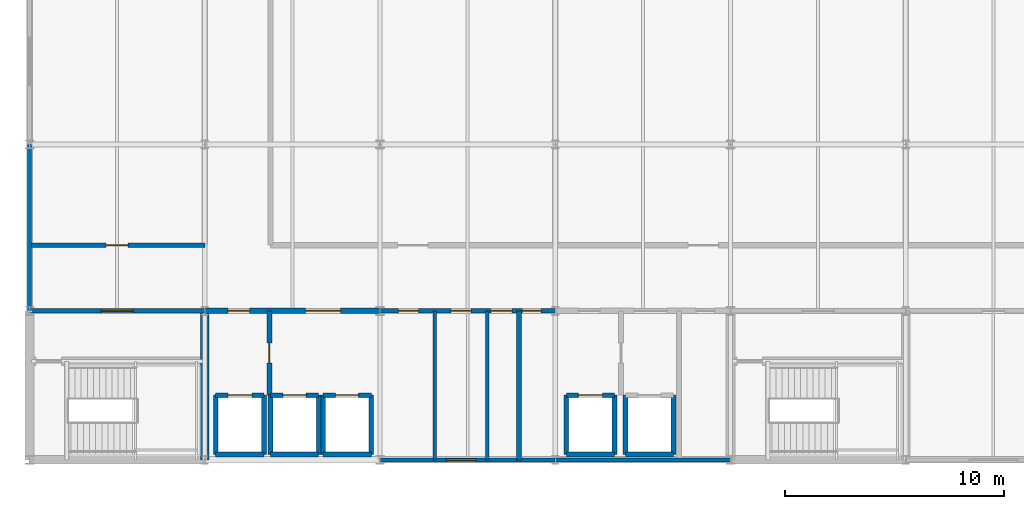
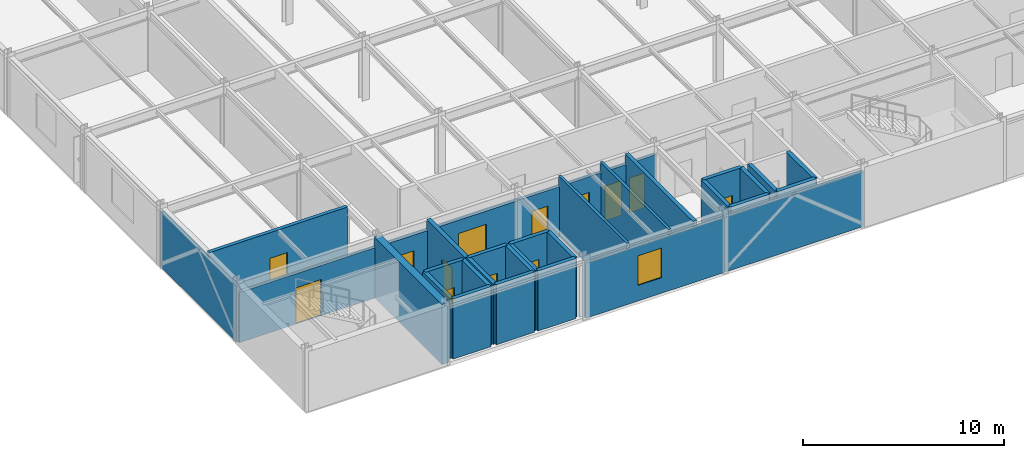
# One storey, part 11 of 18: 31 walls, 13 doors, 1 window, 14 openings.
"""IFC4 building model written with IfcOpenShell, lengths in metres."""

from ifc_helpers import new_model, si_unit, direction, frame, frame_2d, origin, place, context, subcontext, project, spatial, rectangle, extrude, material, layer, layer_set, type_object, element, fill, save


model = new_model("IFC4")

# Units and contexts
model_context = context("Model", 3, precision=1e-05, world=origin(), true_north=direction((0.0, 1.0)))
body_context = subcontext(model_context, "Body", "Model", "MODEL_VIEW")
ifc_project = project(units=[si_unit("LENGTHUNIT", "METRE"), si_unit("AREAUNIT", "SQUARE_METRE"), si_unit("VOLUMEUNIT", "CUBIC_METRE"), si_unit("PLANEANGLEUNIT", "RADIAN"), si_unit("MASSUNIT", "GRAM", prefix="KILO")], contexts=[model_context])

# Site, building, storey
site_placement = place(None, origin())
site = spatial("IfcSite", under=ifc_project, at=site_placement, CompositionType="ELEMENT")
building_placement = place(site_placement, origin())
building = spatial("IfcBuilding", under=site, at=building_placement, Name="Shalkamar Park Central Library", CompositionType="ELEMENT")
storey_placement = place(building_placement, frame((0.0, 0.0, 24.300048828125)))
storey = spatial("IfcBuildingStorey", under=building, at=storey_placement, Name="L06", CompositionType="ELEMENT", Elevation=24.300048828125)

# Wall, opening, door
ifc_material_1 = material(Name="Reinforced fire-compartment masonry wall", Category="masonry")
ifc_layer_1 = layer(ifc_material_1, 0.239990234375)
ifc_layer_set_1 = layer_set([ifc_layer_1], Name="CompartmentWall_240")
wall_type_1 = type_object("IfcWallType", Name="Compartment Wall 240", PredefinedType="PARTITIONING", material=ifc_layer_set_1)
wall_1_placement = place(storey_placement, frame((175.949951171875, 251.35009765625, 0.0), z_axis=(0.0, 0.0, 1.0), x_axis=(0.0, 1.0, 0.0)))
wall_1 = element("IfcWall", 1, at=wall_1_placement, inside=storey, type_object=wall_type_1, Name="Interior Partition WL-INT-L06-001", PredefinedType="PARTITIONING", context=body_context, shape_type="SweptSolid", body=[
    extrude(rectangle(XDim=3.849853515625, YDim=0.239990234375, at=frame_2d((1.9248046875, 0.0))), origin(), (0.0, 0.0, 1.0), 3.659912109375),
])
opening_1_placement = place(wall_1_placement, frame((1.47509765625, 0.0, 0.0)))
opening_1 = element("IfcOpeningElement", 2, at=opening_1_placement, cuts=wall_1, Name="Opening DR-L06-001", PredefinedType="OPENING", context=body_context, shape_type="SweptSolid", body=[
    extrude(rectangle(XDim=0.89990234375, YDim=2.10009765625, at=frame_2d((0.449951171875, 1.050048828125))), frame((0.0, 0.134765625, 0.0), z_axis=(0.0, -1.0, 0.0), x_axis=(1.0, 0.0, 0.0)), (0.0, 0.0, 1.0), 0.269775390625),
])
ifc_material_2 = material(Name="Steel S355", Category="steel")
door_type_1 = type_object("IfcDoorType", Name="Fire Door Single 900x2100", OperationType="NOTDEFINED", PredefinedType="DOOR", material=ifc_material_2)
door_1_placement = place(opening_1_placement, frame((0.89990234375, 0.0, 0.0), z_axis=(0.0, 0.0, 1.0), x_axis=(-1.0, 0.0, 0.0)))
door_1 = element("IfcDoor", 3, at=door_1_placement, inside=storey, type_object=door_type_1, Name="Fire Lobby Interconnect Door", OperationType="SINGLE_SWING_LEFT", OverallHeight=2.10009765625, OverallWidth=0.89990234375, PredefinedType="DOOR", context=body_context, shape_type="SweptSolid", body=[
    extrude(rectangle(XDim=0.89990234375, YDim=2.10009765625, at=frame_2d((0.449951171875, 1.050048828125))), frame((0.0, 0.02490234375, 0.0), z_axis=(0.0, -1.0, 0.0), x_axis=(1.0, 0.0, 0.0)), (0.0, 0.0, 1.0), 0.050048828125),
])
fill(opening_1, door_1)

# Wall, openings, doors
wall_2_placement = place(storey_placement, frame((173.0, 255.199951171875, 0.0), z_axis=(0.0, 0.0, 1.0), x_axis=(1.0, 0.0, 0.0)))
wall_2 = element("IfcWall", 4, at=wall_2_placement, inside=storey, type_object=wall_type_1, Name="Interior Partition WL-INT-L06-007", PredefinedType="PARTITIONING", context=body_context, shape_type="SweptSolid", body=[
    extrude(rectangle(XDim=8.0, YDim=0.239990234375, at=frame_2d((4.0, 0.0))), origin(), (0.0, 0.0, 1.0), 3.057861328125),
])
opening_2_placement = place(wall_2_placement, frame((1.050048828125, 0.0, 0.0)))
opening_2 = element("IfcOpeningElement", 5, at=opening_2_placement, cuts=wall_2, Name="Opening DR-L06-003", PredefinedType="OPENING", context=body_context, shape_type="SweptSolid", body=[
    extrude(rectangle(XDim=1.0, YDim=2.10009765625, at=frame_2d((0.5, 1.050048828125))), frame((0.0, 0.134765625, 0.0), z_axis=(0.0, -1.0, 0.0), x_axis=(1.0, 0.0, 0.0)), (0.0, 0.0, 1.0), 0.269775390625),
])
opening_3_placement = place(wall_2_placement, frame((4.60009765625, 0.0, 0.0)))
opening_3 = element("IfcOpeningElement", 6, at=opening_3_placement, cuts=wall_2, Name="Opening DR-L06-004", PredefinedType="OPENING", context=body_context, shape_type="SweptSolid", body=[
    extrude(rectangle(XDim=1.60009765625, YDim=2.25, at=frame_2d((0.800048828125, 1.125))), frame((0.0, 0.134765625, 0.0), z_axis=(0.0, -1.0, 0.0), x_axis=(1.0, 0.0, 0.0)), (0.0, 0.0, 1.0), 0.269775390625),
])
door_type_2 = type_object("IfcDoorType", Name="Fire Door Single 1000x2100", OperationType="NOTDEFINED", PredefinedType="DOOR", material=ifc_material_2)
door_2_placement = place(opening_2_placement, frame((1.0, 0.0, 0.0), z_axis=(0.0, 0.0, 1.0), x_axis=(-1.0, 0.0, 0.0)))
door_2 = element("IfcDoor", 7, at=door_2_placement, inside=storey, type_object=door_type_2, Name="West Firefighting Lobby Door", OperationType="SINGLE_SWING_RIGHT", OverallHeight=2.10009765625, OverallWidth=1.0, PredefinedType="DOOR", context=body_context, shape_type="SweptSolid", body=[
    extrude(rectangle(XDim=1.0, YDim=2.10009765625, at=frame_2d((0.5, 1.050048828125))), frame((0.0, 0.02490234375, 0.0), z_axis=(0.0, -1.0, 0.0), x_axis=(1.0, 0.0, 0.0)), (0.0, 0.0, 1.0), 0.050048828125),
])
fill(opening_2, door_2)
door_type_3 = type_object("IfcDoorType", Name="Interior Door Double 1600x2250", OperationType="DOUBLE_DOOR_SINGLE_SWING", PredefinedType="DOOR", material=ifc_material_2)
door_3_placement = place(opening_3_placement, origin())
door_3 = element("IfcDoor", 8, at=door_3_placement, inside=storey, type_object=door_type_3, Name="West Lift Lobby Entrance", OperationType="DOUBLE_DOOR_SINGLE_SWING", OverallHeight=2.25, OverallWidth=1.60009765625, PredefinedType="DOOR", context=body_context, shape_type="SweptSolid", body=[
    extrude(rectangle(XDim=1.60009765625, YDim=2.25, at=frame_2d((0.800048828125, 1.125))), frame((0.0, 0.02490234375, 0.0), z_axis=(0.0, -1.0, 0.0), x_axis=(1.0, 0.0, 0.0)), (0.0, 0.0, 1.0), 0.050048828125),
])
fill(opening_3, door_3)

# Wall, opening, door
ifc_material_3 = material(Name="Fire-rated corridor partition wall", Category="masonry")
ifc_layer_2 = layer(ifc_material_3, 0.199951171875)
ifc_layer_set_2 = layer_set([ifc_layer_2], Name="CorridorFireWall_200")
wall_type_2 = type_object("IfcWallType", Name="Corridor Fire Wall 200", PredefinedType="PARTITIONING", material=ifc_layer_set_2)
wall_3_placement = place(storey_placement, frame((165.0, 255.199951171875, 0.0), z_axis=(0.0, 0.0, 1.0), x_axis=(1.0, 0.0, 0.0)))
wall_3 = element("IfcWall", 9, at=wall_3_placement, inside=storey, type_object=wall_type_2, Name="CORE-T1 Vestibule North Wall (L06)", PredefinedType="PARTITIONING", context=body_context, shape_type="SweptSolid", body=[
    extrude(rectangle(XDim=8.0, YDim=0.199951171875, at=frame_2d((4.0, 0.0))), origin(), (0.0, 0.0, 1.0), 3.057861328125),
])
opening_4_placement = place(wall_3_placement, frame((3.27490234375, 0.0, 0.0)))
opening_4 = element("IfcOpeningElement", 10, at=opening_4_placement, cuts=wall_3, Name="Opening DR-ST-T1-L06-VEST", PredefinedType="OPENING", context=body_context, shape_type="SweptSolid", body=[
    extrude(rectangle(XDim=1.449951171875, YDim=2.199951171875, at=frame_2d((0.72509765625, 1.10009765625))), frame((0.0, 0.11474609375, 0.0), z_axis=(0.0, -1.0, 0.0), x_axis=(1.0, 0.0, 0.0)), (0.0, 0.0, 1.0), 0.229736328125),
])
door_type_4 = type_object("IfcDoorType", Name="Stair Vestibule Door 1450x2200", OperationType="DOUBLE_DOOR_SINGLE_SWING", PredefinedType="DOOR", material=ifc_material_2)
door_4_placement = place(opening_4_placement, frame((1.449951171875, 0.0, 0.0), z_axis=(0.0, 0.0, 1.0), x_axis=(-1.0, 0.0, 0.0)))
door_4 = element("IfcDoor", 11, at=door_4_placement, inside=storey, type_object=door_type_4, Name="Protected Stair ST-T1 Vestibule Door (L06)", OperationType="DOUBLE_DOOR_SINGLE_SWING", OverallHeight=2.199951171875, OverallWidth=1.449951171875, PredefinedType="DOOR", context=body_context, shape_type="SweptSolid", body=[
    extrude(rectangle(XDim=1.449951171875, YDim=2.199951171875, at=frame_2d((0.72509765625, 1.10009765625))), frame((0.0, 0.02490234375, 0.0), z_axis=(0.0, -1.0, 0.0), x_axis=(1.0, 0.0, 0.0)), (0.0, 0.0, 1.0), 0.050048828125),
])
fill(opening_4, door_4)

# Wall, openings, doors
wall_4_placement = place(storey_placement, frame((181.0, 255.199951171875, 0.0), z_axis=(0.0, 0.0, 1.0), x_axis=(1.0, 0.0, 0.0)))
wall_4 = element("IfcWall", 12, at=wall_4_placement, inside=storey, type_object=wall_type_2, Name="Interior Partition WL-INT-L06-008", PredefinedType="PARTITIONING", context=body_context, shape_type="SweptSolid", body=[
    extrude(rectangle(XDim=8.0, YDim=0.199951171875, at=frame_2d((4.0, 0.0))), origin(), (0.0, 0.0, 1.0), 3.057861328125),
])
opening_5_placement = place(wall_4_placement, frame((0.85009765625, 0.0, 0.0)))
opening_5 = element("IfcOpeningElement", 13, at=opening_5_placement, cuts=wall_4, Name="Opening DR-L06-005", PredefinedType="OPENING", context=body_context, shape_type="SweptSolid", body=[
    extrude(rectangle(XDim=0.89990234375, YDim=2.10009765625, at=frame_2d((0.449951171875, 1.050048828125))), frame((0.0, 0.11474609375, 0.0), z_axis=(0.0, -1.0, 0.0), x_axis=(1.0, 0.0, 0.0)), (0.0, 0.0, 1.0), 0.229736328125),
])
opening_6_placement = place(wall_4_placement, frame((3.25, 0.0, 0.0)))
opening_6 = element("IfcOpeningElement", 14, at=opening_6_placement, cuts=wall_4, Name="Opening DR-L06-006", PredefinedType="OPENING", context=body_context, shape_type="SweptSolid", body=[
    extrude(rectangle(XDim=0.89990234375, YDim=2.10009765625, at=frame_2d((0.449951171875, 1.050048828125))), frame((0.0, 0.11474609375, 0.0), z_axis=(0.0, -1.0, 0.0), x_axis=(1.0, 0.0, 0.0)), (0.0, 0.0, 1.0), 0.229736328125),
])
opening_7_placement = place(wall_4_placement, frame((5.074951171875, 0.0, 0.0)))
opening_7 = element("IfcOpeningElement", 15, at=opening_7_placement, cuts=wall_4, Name="Opening DR-L06-007", PredefinedType="OPENING", context=body_context, shape_type="SweptSolid", body=[
    extrude(rectangle(XDim=0.949951171875, YDim=2.10009765625, at=frame_2d((0.47509765625, 1.050048828125))), frame((0.0, 0.11474609375, 0.0), z_axis=(0.0, -1.0, 0.0), x_axis=(1.0, 0.0, 0.0)), (0.0, 0.0, 1.0), 0.229736328125),
])
opening_8_placement = place(wall_4_placement, frame((6.5, 0.0, 0.0)))
opening_8 = element("IfcOpeningElement", 16, at=opening_8_placement, cuts=wall_4, Name="Opening DR-L06-008", PredefinedType="OPENING", context=body_context, shape_type="SweptSolid", body=[
    extrude(rectangle(XDim=0.85009765625, YDim=2.10009765625, at=frame_2d((0.425048828125, 1.050048828125))), frame((0.0, 0.11474609375, 0.0), z_axis=(0.0, -1.0, 0.0), x_axis=(1.0, 0.0, 0.0)), (0.0, 0.0, 1.0), 0.229736328125),
])
door_type_5 = type_object("IfcDoorType", Name="Fire Door Riser 850x2100", OperationType="NOTDEFINED", PredefinedType="DOOR", material=ifc_material_2)
door_5_placement = place(opening_8_placement, frame((0.85009765625, 0.0, 0.0), z_axis=(0.0, 0.0, 1.0), x_axis=(-1.0, 0.0, 0.0)))
door_5 = element("IfcDoor", 17, at=door_5_placement, inside=storey, type_object=door_type_5, Name="Electrical Riser Access Door", OperationType="SINGLE_SWING_LEFT", OverallHeight=2.10009765625, OverallWidth=0.85009765625, PredefinedType="DOOR", context=body_context, shape_type="SweptSolid", body=[
    extrude(rectangle(XDim=0.85009765625, YDim=2.10009765625, at=frame_2d((0.425048828125, 1.050048828125))), frame((0.0, 0.02490234375, 0.0), z_axis=(0.0, -1.0, 0.0), x_axis=(1.0, 0.0, 0.0)), (0.0, 0.0, 1.0), 0.050048828125),
])
fill(opening_8, door_5)
door_type_6 = type_object("IfcDoorType", Name="Interior Door Single 900x2100", OperationType="NOTDEFINED", PredefinedType="DOOR", material=ifc_material_2)
door_6_placement = place(opening_5_placement, frame((0.89990234375, 0.0, 0.0), z_axis=(0.0, 0.0, 1.0), x_axis=(-1.0, 0.0, 0.0)))
door_6 = element("IfcDoor", 18, at=door_6_placement, inside=storey, type_object=door_type_6, Name="Male WC Door", OperationType="SINGLE_SWING_RIGHT", OverallHeight=2.10009765625, OverallWidth=0.89990234375, PredefinedType="DOOR", context=body_context, shape_type="SweptSolid", body=[
    extrude(rectangle(XDim=0.89990234375, YDim=2.10009765625, at=frame_2d((0.449951171875, 1.050048828125))), frame((0.0, 0.02490234375, 0.0), z_axis=(0.0, -1.0, 0.0), x_axis=(1.0, 0.0, 0.0)), (0.0, 0.0, 1.0), 0.050048828125),
])
fill(opening_5, door_6)
door_7_placement = place(opening_6_placement, frame((0.89990234375, 0.0, 0.0), z_axis=(0.0, 0.0, 1.0), x_axis=(-1.0, 0.0, 0.0)))
door_7 = element("IfcDoor", 19, at=door_7_placement, inside=storey, type_object=door_type_6, Name="Female WC Door", OperationType="SINGLE_SWING_RIGHT", OverallHeight=2.10009765625, OverallWidth=0.89990234375, PredefinedType="DOOR", context=body_context, shape_type="SweptSolid", body=[
    extrude(rectangle(XDim=0.89990234375, YDim=2.10009765625, at=frame_2d((0.449951171875, 1.050048828125))), frame((0.0, 0.02490234375, 0.0), z_axis=(0.0, -1.0, 0.0), x_axis=(1.0, 0.0, 0.0)), (0.0, 0.0, 1.0), 0.050048828125),
])
fill(opening_6, door_7)
door_type_7 = type_object("IfcDoorType", Name="Interior Door Single 950x2100", OperationType="NOTDEFINED", PredefinedType="DOOR", material=ifc_material_2)
door_8_placement = place(opening_7_placement, frame((0.949951171875, 0.0, 0.0), z_axis=(0.0, 0.0, 1.0), x_axis=(-1.0, 0.0, 0.0)))
door_8 = element("IfcDoor", 20, at=door_8_placement, inside=storey, type_object=door_type_7, Name="Universal Accessible WC Door", OperationType="SINGLE_SWING_LEFT", OverallHeight=2.10009765625, OverallWidth=0.949951171875, PredefinedType="DOOR", context=body_context, shape_type="SweptSolid", body=[
    extrude(rectangle(XDim=0.949951171875, YDim=2.10009765625, at=frame_2d((0.47509765625, 1.050048828125))), frame((0.0, 0.02490234375, 0.0), z_axis=(0.0, -1.0, 0.0), x_axis=(1.0, 0.0, 0.0)), (0.0, 0.0, 1.0), 0.050048828125),
])
fill(opening_7, door_8)

# Wall, opening, door
wall_5_placement = place(storey_placement, frame((165.0, 258.199951171875, 0.0), z_axis=(0.0, 0.0, 1.0), x_axis=(1.0, 0.0, 0.0)))
wall_5 = element("IfcWall", 21, at=wall_5_placement, inside=storey, type_object=wall_type_2, Name="Interior Partition WL-INT-L06-011", PredefinedType="PARTITIONING", context=body_context, shape_type="SweptSolid", body=[
    extrude(rectangle(XDim=8.0, YDim=0.199951171875, at=frame_2d((4.0, 0.0))), origin(), (0.0, 0.0, 1.0), 3.659912109375),
])
opening_9_placement = place(wall_5_placement, frame((3.5, 0.0, 0.0)))
opening_9 = element("IfcOpeningElement", 22, at=opening_9_placement, cuts=wall_5, Name="Opening DR-L06-013", PredefinedType="OPENING", context=body_context, shape_type="SweptSolid", body=[
    extrude(rectangle(XDim=1.0, YDim=2.10009765625, at=frame_2d((0.5, 1.050048828125))), frame((0.0, 0.11474609375, 0.0), z_axis=(0.0, -1.0, 0.0), x_axis=(1.0, 0.0, 0.0)), (0.0, 0.0, 1.0), 0.229736328125),
])
door_9_placement = place(opening_9_placement, origin())
door_9 = element("IfcDoor", 23, at=door_9_placement, inside=storey, type_object=door_type_2, Name="L06 West Stack Compartment Door", OperationType="SINGLE_SWING_LEFT", OverallHeight=2.10009765625, OverallWidth=1.0, PredefinedType="DOOR", context=body_context, shape_type="SweptSolid", body=[
    extrude(rectangle(XDim=1.0, YDim=2.10009765625, at=frame_2d((0.5, 1.050048828125))), frame((0.0, 0.02490234375, 0.0), z_axis=(0.0, -1.0, 0.0), x_axis=(1.0, 0.0, 0.0)), (0.0, 0.0, 1.0), 0.050048828125),
])
fill(opening_9, door_9)

# Walls
ifc_material_4 = material(Name="Concrete C40/50", Category="concrete")
ifc_layer_3 = layer(ifc_material_4, 0.219970703125)
ifc_layer_set_3 = layer_set([ifc_layer_3], Name="Concrete C40/50")
wall_type_3 = type_object("IfcWallType", Name="Lift Hoistway Shear Wall 220", PredefinedType="SHEAR", material=ifc_layer_set_3)
wall_6_placement = place(storey_placement, frame((173.5, 248.64990234375, 0.0), z_axis=(0.0, 0.0, 1.0), x_axis=(1.0, 0.0, 0.0)))
element("IfcWall", 24, at=wall_6_placement, inside=storey, type_object=wall_type_3, Name="Lift FFL-01 Hoistway South Wall (L06)", PredefinedType="SHEAR", context=body_context, shape_type="SweptSolid", body=[
    extrude(rectangle(XDim=2.199951171875, YDim=0.219970703125, at=frame_2d((1.10009765625, 0.0))), origin(), (0.0, 0.0, 1.0), 3.659912109375),
])
for number, where, z_axis, x_axis, name in (
    (25, (173.5, 248.64990234375, 0.0), (0.0, 0.0, 1.0), (0.0, 1.0, 0.0), "Lift FFL-01 Hoistway West Wall (L06)"),
    (26, (175.699951171875, 248.64990234375, 0.0), (0.0, 0.0, 1.0), (0.0, 1.0, 0.0), "Lift FFL-01 Hoistway East Wall (L06)"),
):
    element("IfcWall", number, at=place(storey_placement, frame(where, z_axis=z_axis, x_axis=x_axis)), inside=storey, type_object=wall_type_3, Name=name, PredefinedType="SHEAR", context=body_context, shape_type="SweptSolid", body=[
        extrude(rectangle(XDim=2.7001953125, YDim=0.219970703125, at=frame_2d((1.35009765625, 0.0))), origin(), (0.0, 0.0, 1.0), 3.659912109375),
    ])

# Wall, opening, door
wall_7_placement = place(storey_placement, frame((173.5, 251.35009765625, 0.0), z_axis=(0.0, 0.0, 1.0), x_axis=(1.0, 0.0, 0.0)))
wall_7 = element("IfcWall", 27, at=wall_7_placement, inside=storey, type_object=wall_type_3, Name="Lift FFL-01 Hoistway Front Wall (L06)", PredefinedType="SHEAR", context=body_context, shape_type="SweptSolid", body=[
    extrude(rectangle(XDim=2.199951171875, YDim=0.219970703125, at=frame_2d((1.10009765625, 0.0))), origin(), (0.0, 0.0, 1.0), 3.659912109375),
])
opening_10_placement = place(wall_7_placement, frame((0.550048828125, 0.0, 0.0)))
opening_10 = element("IfcOpeningElement", 28, at=opening_10_placement, cuts=wall_7, Name="Opening LD-FFL-01-L06", PredefinedType="OPENING", context=body_context, shape_type="SweptSolid", body=[
    extrude(rectangle(XDim=1.10009765625, YDim=2.14990234375, at=frame_2d((0.550048828125, 1.074951171875))), frame((0.0, 0.125, 0.0), z_axis=(0.0, -1.0, 0.0), x_axis=(1.0, 0.0, 0.0)), (0.0, 0.0, 1.0), 0.249755859375),
])
door_type_8 = type_object("IfcDoorType", Name="Fire Lift Landing Door 1100x2150", OperationType="DOUBLE_DOOR_SLIDING", PredefinedType="USERDEFINED", material=ifc_material_2)
door_10_placement = place(opening_10_placement, origin())
door_10 = element("IfcDoor", 29, at=door_10_placement, inside=storey, type_object=door_type_8, Name="Lift FFL-01 Sliding Landing Door (L06)", ObjectType="SLIDING LANDING DOOR", OperationType="DOUBLE_DOOR_SLIDING", OverallHeight=2.14990234375, OverallWidth=1.10009765625, PredefinedType="USERDEFINED", context=body_context, shape_type="SweptSolid", body=[
    extrude(rectangle(XDim=1.10009765625, YDim=2.14990234375, at=frame_2d((0.550048828125, 1.074951171875))), frame((0.0, 0.02490234375, 0.0), z_axis=(0.0, -1.0, 0.0), x_axis=(1.0, 0.0, 0.0)), (0.0, 0.0, 1.0), 0.050048828125),
])
fill(opening_10, door_10)

# Walls
wall_8_placement = place(storey_placement, frame((176.0, 248.64990234375, 0.0), z_axis=(0.0, 0.0, 1.0), x_axis=(1.0, 0.0, 0.0)))
element("IfcWall", 30, at=wall_8_placement, inside=storey, type_object=wall_type_3, Name="Lift LT-01 Hoistway South Wall (L06)", PredefinedType="SHEAR", context=body_context, shape_type="SweptSolid", body=[
    extrude(rectangle(XDim=2.199951171875, YDim=0.219970703125, at=frame_2d((1.10009765625, 0.0))), origin(), (0.0, 0.0, 1.0), 3.659912109375),
])
for number, where, z_axis, x_axis, name in (
    (31, (176.0, 248.64990234375, 0.0), (0.0, 0.0, 1.0), (0.0, 1.0, 0.0), "Lift LT-01 Hoistway West Wall (L06)"),
    (32, (178.199951171875, 248.64990234375, 0.0), (0.0, 0.0, 1.0), (0.0, 1.0, 0.0), "Lift LT-01 Hoistway East Wall (L06)"),
):
    element("IfcWall", number, at=place(storey_placement, frame(where, z_axis=z_axis, x_axis=x_axis)), inside=storey, type_object=wall_type_3, Name=name, PredefinedType="SHEAR", context=body_context, shape_type="SweptSolid", body=[
        extrude(rectangle(XDim=2.7001953125, YDim=0.219970703125, at=frame_2d((1.35009765625, 0.0))), origin(), (0.0, 0.0, 1.0), 3.659912109375),
    ])

# Wall, opening, door
wall_9_placement = place(storey_placement, frame((176.0, 251.35009765625, 0.0), z_axis=(0.0, 0.0, 1.0), x_axis=(1.0, 0.0, 0.0)))
wall_9 = element("IfcWall", 33, at=wall_9_placement, inside=storey, type_object=wall_type_3, Name="Lift LT-01 Hoistway Front Wall (L06)", PredefinedType="SHEAR", context=body_context, shape_type="SweptSolid", body=[
    extrude(rectangle(XDim=2.199951171875, YDim=0.219970703125, at=frame_2d((1.10009765625, 0.0))), origin(), (0.0, 0.0, 1.0), 3.659912109375),
])
opening_11_placement = place(wall_9_placement, frame((0.574951171875, 0.0, 0.0)))
opening_11 = element("IfcOpeningElement", 34, at=opening_11_placement, cuts=wall_9, Name="Opening LD-LT-01-L06", PredefinedType="OPENING", context=body_context, shape_type="SweptSolid", body=[
    extrude(rectangle(XDim=1.050048828125, YDim=2.14990234375, at=frame_2d((0.52490234375, 1.074951171875))), frame((0.0, 0.125, 0.0), z_axis=(0.0, -1.0, 0.0), x_axis=(1.0, 0.0, 0.0)), (0.0, 0.0, 1.0), 0.249755859375),
])
door_type_9 = type_object("IfcDoorType", Name="Passenger Lift Landing Door 1050x2150", OperationType="DOUBLE_DOOR_SLIDING", PredefinedType="USERDEFINED", material=ifc_material_2)
door_11_placement = place(opening_11_placement, origin())
door_11 = element("IfcDoor", 35, at=door_11_placement, inside=storey, type_object=door_type_9, Name="Lift LT-01 Sliding Landing Door (L06)", ObjectType="SLIDING LANDING DOOR", OperationType="DOUBLE_DOOR_SLIDING", OverallHeight=2.14990234375, OverallWidth=1.050048828125, PredefinedType="USERDEFINED", context=body_context, shape_type="SweptSolid", body=[
    extrude(rectangle(XDim=1.050048828125, YDim=2.14990234375, at=frame_2d((0.52490234375, 1.074951171875))), frame((0.0, 0.02490234375, 0.0), z_axis=(0.0, -1.0, 0.0), x_axis=(1.0, 0.0, 0.0)), (0.0, 0.0, 1.0), 0.050048828125),
])
fill(opening_11, door_11)

# Walls
wall_10_placement = place(storey_placement, frame((178.39990234375, 248.64990234375, 0.0), z_axis=(0.0, 0.0, 1.0), x_axis=(1.0, 0.0, 0.0)))
element("IfcWall", 36, at=wall_10_placement, inside=storey, type_object=wall_type_3, Name="Lift LT-02 Hoistway South Wall (L06)", PredefinedType="SHEAR", context=body_context, shape_type="SweptSolid", body=[
    extrude(rectangle(XDim=2.2001953125, YDim=0.219970703125, at=frame_2d((1.10009765625, 0.0))), origin(), (0.0, 0.0, 1.0), 3.659912109375),
])
for number, where, z_axis, x_axis, name in (
    (37, (178.39990234375, 248.64990234375, 0.0), (0.0, 0.0, 1.0), (0.0, 1.0, 0.0), "Lift LT-02 Hoistway West Wall (L06)"),
    (38, (180.60009765625, 248.64990234375, 0.0), (0.0, 0.0, 1.0), (0.0, 1.0, 0.0), "Lift LT-02 Hoistway East Wall (L06)"),
):
    element("IfcWall", number, at=place(storey_placement, frame(where, z_axis=z_axis, x_axis=x_axis)), inside=storey, type_object=wall_type_3, Name=name, PredefinedType="SHEAR", context=body_context, shape_type="SweptSolid", body=[
        extrude(rectangle(XDim=2.7001953125, YDim=0.219970703125, at=frame_2d((1.35009765625, 0.0))), origin(), (0.0, 0.0, 1.0), 3.659912109375),
    ])

# Wall, opening, door
wall_11_placement = place(storey_placement, frame((178.39990234375, 251.35009765625, 0.0), z_axis=(0.0, 0.0, 1.0), x_axis=(1.0, 0.0, 0.0)))
wall_11 = element("IfcWall", 39, at=wall_11_placement, inside=storey, type_object=wall_type_3, Name="Lift LT-02 Hoistway Front Wall (L06)", PredefinedType="SHEAR", context=body_context, shape_type="SweptSolid", body=[
    extrude(rectangle(XDim=2.2001953125, YDim=0.219970703125, at=frame_2d((1.10009765625, 0.0))), origin(), (0.0, 0.0, 1.0), 3.659912109375),
])
opening_12_placement = place(wall_11_placement, frame((0.574951171875, 0.0, 0.0)))
opening_12 = element("IfcOpeningElement", 40, at=opening_12_placement, cuts=wall_11, Name="Opening LD-LT-02-L06", PredefinedType="OPENING", context=body_context, shape_type="SweptSolid", body=[
    extrude(rectangle(XDim=1.050048828125, YDim=2.14990234375, at=frame_2d((0.52490234375, 1.074951171875))), frame((0.0, 0.125, 0.0), z_axis=(0.0, -1.0, 0.0), x_axis=(1.0, 0.0, 0.0)), (0.0, 0.0, 1.0), 0.249755859375),
])
door_12_placement = place(opening_12_placement, origin())
door_12 = element("IfcDoor", 41, at=door_12_placement, inside=storey, type_object=door_type_9, Name="Lift LT-02 Sliding Landing Door (L06)", ObjectType="SLIDING LANDING DOOR", OperationType="DOUBLE_DOOR_SLIDING", OverallHeight=2.14990234375, OverallWidth=1.050048828125, PredefinedType="USERDEFINED", context=body_context, shape_type="SweptSolid", body=[
    extrude(rectangle(XDim=1.050048828125, YDim=2.14990234375, at=frame_2d((0.52490234375, 1.074951171875))), frame((0.0, 0.02490234375, 0.0), z_axis=(0.0, -1.0, 0.0), x_axis=(1.0, 0.0, 0.0)), (0.0, 0.0, 1.0), 0.050048828125),
])
fill(opening_12, door_12)

# Walls
wall_12_placement = place(storey_placement, frame((189.5, 248.64990234375, 0.0), z_axis=(0.0, 0.0, 1.0), x_axis=(1.0, 0.0, 0.0)))
element("IfcWall", 42, at=wall_12_placement, inside=storey, type_object=wall_type_3, Name="Lift FFL-02 Hoistway South Wall (L06)", PredefinedType="SHEAR", context=body_context, shape_type="SweptSolid", body=[
    extrude(rectangle(XDim=2.199951171875, YDim=0.219970703125, at=frame_2d((1.10009765625, 0.0))), origin(), (0.0, 0.0, 1.0), 3.659912109375),
])
for number, where, z_axis, x_axis, name in (
    (43, (189.5, 248.64990234375, 0.0), (0.0, 0.0, 1.0), (0.0, 1.0, 0.0), "Lift FFL-02 Hoistway West Wall (L06)"),
    (44, (191.699951171875, 248.64990234375, 0.0), (0.0, 0.0, 1.0), (0.0, 1.0, 0.0), "Lift FFL-02 Hoistway East Wall (L06)"),
):
    element("IfcWall", number, at=place(storey_placement, frame(where, z_axis=z_axis, x_axis=x_axis)), inside=storey, type_object=wall_type_3, Name=name, PredefinedType="SHEAR", context=body_context, shape_type="SweptSolid", body=[
        extrude(rectangle(XDim=2.7001953125, YDim=0.219970703125, at=frame_2d((1.35009765625, 0.0))), origin(), (0.0, 0.0, 1.0), 3.659912109375),
    ])

# Wall, opening, door
wall_13_placement = place(storey_placement, frame((189.5, 251.35009765625, 0.0), z_axis=(0.0, 0.0, 1.0), x_axis=(1.0, 0.0, 0.0)))
wall_13 = element("IfcWall", 45, at=wall_13_placement, inside=storey, type_object=wall_type_3, Name="Lift FFL-02 Hoistway Front Wall (L06)", PredefinedType="SHEAR", context=body_context, shape_type="SweptSolid", body=[
    extrude(rectangle(XDim=2.199951171875, YDim=0.219970703125, at=frame_2d((1.10009765625, 0.0))), origin(), (0.0, 0.0, 1.0), 3.659912109375),
])
opening_13_placement = place(wall_13_placement, frame((0.550048828125, 0.0, 0.0)))
opening_13 = element("IfcOpeningElement", 46, at=opening_13_placement, cuts=wall_13, Name="Opening LD-FFL-02-L06", PredefinedType="OPENING", context=body_context, shape_type="SweptSolid", body=[
    extrude(rectangle(XDim=1.10009765625, YDim=2.14990234375, at=frame_2d((0.550048828125, 1.074951171875))), frame((0.0, 0.125, 0.0), z_axis=(0.0, -1.0, 0.0), x_axis=(1.0, 0.0, 0.0)), (0.0, 0.0, 1.0), 0.249755859375),
])
door_13_placement = place(opening_13_placement, origin())
door_13 = element("IfcDoor", 47, at=door_13_placement, inside=storey, type_object=door_type_8, Name="Lift FFL-02 Sliding Landing Door (L06)", ObjectType="SLIDING LANDING DOOR", OperationType="DOUBLE_DOOR_SLIDING", OverallHeight=2.14990234375, OverallWidth=1.10009765625, PredefinedType="USERDEFINED", context=body_context, shape_type="SweptSolid", body=[
    extrude(rectangle(XDim=1.10009765625, YDim=2.14990234375, at=frame_2d((0.550048828125, 1.074951171875))), frame((0.0, 0.02490234375, 0.0), z_axis=(0.0, -1.0, 0.0), x_axis=(1.0, 0.0, 0.0)), (0.0, 0.0, 1.0), 0.050048828125),
])
fill(opening_13, door_13)

# Walls
wall_14_placement = place(storey_placement, frame((192.199951171875, 248.64990234375, 0.0), z_axis=(0.0, 0.0, 1.0), x_axis=(1.0, 0.0, 0.0)))
element("IfcWall", 48, at=wall_14_placement, inside=storey, type_object=wall_type_3, Name="Lift LT-03 Hoistway South Wall (L06)", PredefinedType="SHEAR", context=body_context, shape_type="SweptSolid", body=[
    extrude(rectangle(XDim=2.199951171875, YDim=0.219970703125, at=frame_2d((1.10009765625, 0.0))), origin(), (0.0, 0.0, 1.0), 3.659912109375),
])
for number, where, z_axis, x_axis, name in (
    (49, (192.199951171875, 248.64990234375, 0.0), (0.0, 0.0, 1.0), (0.0, 1.0, 0.0), "Lift LT-03 Hoistway West Wall (L06)"),
    (50, (194.39990234375, 248.64990234375, 0.0), (0.0, 0.0, 1.0), (0.0, 1.0, 0.0), "Lift LT-03 Hoistway East Wall (L06)"),
):
    element("IfcWall", number, at=place(storey_placement, frame(where, z_axis=z_axis, x_axis=x_axis)), inside=storey, type_object=wall_type_3, Name=name, PredefinedType="SHEAR", context=body_context, shape_type="SweptSolid", body=[
        extrude(rectangle(XDim=2.7001953125, YDim=0.219970703125, at=frame_2d((1.35009765625, 0.0))), origin(), (0.0, 0.0, 1.0), 3.659912109375),
    ])
ifc_material_5 = material(Name="Moisture-resistant sanitary partition", Category="masonry")
ifc_layer_4 = layer(ifc_material_5, 0.159912109375)
ifc_layer_set_4 = layer_set([ifc_layer_4], Name="PlumbingChaseWall_160")
wall_type_4 = type_object("IfcWallType", Name="Plumbing Chase Wall 160", PredefinedType="PARTITIONING", material=ifc_layer_set_4)
for number, where, z_axis, x_axis, name in (
    (51, (183.5, 248.39990234375, 0.0), (0.0, 0.0, 1.0), (0.0, 1.0, 0.0), "Interior Partition WL-INT-L06-004"),
    (52, (185.89990234375, 248.39990234375, 0.0), (0.0, 0.0, 1.0), (0.0, 1.0, 0.0), "Interior Partition WL-INT-L06-005"),
):
    element("IfcWall", number, at=place(storey_placement, frame(where, z_axis=z_axis, x_axis=x_axis)), inside=storey, type_object=wall_type_4, Name=name, PredefinedType="PARTITIONING", context=body_context, shape_type="SweptSolid", body=[
        extrude(rectangle(XDim=6.800048828125, YDim=0.159912109375, at=frame_2d((3.39990234375, 0.0))), origin(), (0.0, 0.0, 1.0), 3.659912109375),
    ])
ifc_material_6 = material(Name="Fire-rated shaft enclosure wall", Category="masonry")
ifc_layer_5 = layer(ifc_material_6, 0.219970703125)
ifc_layer_set_5 = layer_set([ifc_layer_5], Name="ShaftWall_220")
wall_type_5 = type_object("IfcWallType", Name="Shaft Wall 220", PredefinedType="PARTITIONING", material=ifc_layer_set_5)
wall_15_placement = place(storey_placement, frame((187.35009765625, 248.39990234375, 0.0), z_axis=(0.0, 0.0, 1.0), x_axis=(0.0, 1.0, 0.0)))
element("IfcWall", 53, at=wall_15_placement, inside=storey, type_object=wall_type_5, Name="Interior Partition WL-INT-L06-006", PredefinedType="PARTITIONING", context=body_context, shape_type="SweptSolid", body=[
    extrude(rectangle(XDim=6.800048828125, YDim=0.219970703125, at=frame_2d((3.39990234375, 0.0))), origin(), (0.0, 0.0, 1.0), 3.659912109375),
])
ifc_layer_6 = layer(ifc_material_4, 0.39990234375)
ifc_layer_set_6 = layer_set([ifc_layer_6], Name="Concrete C40/50")
wall_type_6 = type_object("IfcWallType", Name="Tower Core Shear Wall 400", PredefinedType="SHEAR", material=ifc_layer_set_6)
wall_16_placement = place(storey_placement, frame((173.0, 248.39990234375, 0.0), z_axis=(0.0, 0.0, 1.0), x_axis=(0.0, 1.0, 0.0)))
element("IfcWall", 54, at=wall_16_placement, inside=storey, type_object=wall_type_6, Name="CORE-T1 East Shear Wall (L06)", PredefinedType="SHEAR", context=body_context, shape_type="SweptSolid", body=[
    extrude(rectangle(XDim=6.800048828125, YDim=0.39990234375, at=frame_2d((3.39990234375, 0.0))), origin(), (0.0, 0.0, 1.0), 3.659912109375),
])

# Wall, opening, window
ifc_material_7 = material(Name="Terracotta insulated wall panel", Category="masonry")
ifc_layer_7 = layer(ifc_material_7, 0.179931640625)
ifc_layer_set_7 = layer_set([ifc_layer_7], Name="TowerSpandrelWall_180")
wall_type_7 = type_object("IfcWallType", Name="Tower Spandrel Wall 180", PredefinedType="SOLIDWALL", material=ifc_layer_set_7)
wall_17_placement = place(storey_placement, frame((181.006103515625, 248.39990234375, 0.0), z_axis=(0.0, 0.0, 1.0), x_axis=(1.0, 0.0, 0.0)))
wall_17 = element("IfcWall", 55, at=wall_17_placement, inside=storey, type_object=wall_type_7, Name="Exterior Facade Wall WL-EXT-L06-143", PredefinedType="SOLIDWALL", context=body_context, shape_type="SweptSolid", body=[
    extrude(rectangle(XDim=7.98779296875, YDim=0.179931640625, at=frame_2d((3.993896484375, 0.0))), origin(), (0.0, 0.0, 1.0), 3.347900390625),
])
opening_14_placement = place(wall_17_placement, frame((3.01904296875, 0.0, 0.949951171875)))
opening_14 = element("IfcOpeningElement", 56, at=opening_14_placement, cuts=wall_17, Name="Opening WN-15", PredefinedType="OPENING", context=body_context, shape_type="SweptSolid", body=[
    extrude(rectangle(XDim=1.35009765625, YDim=1.800048828125, at=frame_2d((0.675048828125, 0.89990234375))), frame((0.0, 0.10498046875, 0.0), z_axis=(0.0, -1.0, 0.0), x_axis=(1.0, 0.0, 0.0)), (0.0, 0.0, 1.0), 0.209716796875),
])
ifc_material_8 = material(Name="Thermally broken aluminium and triple low-e glass", Category="glass")
window_type = type_object("IfcWindowType", Name="Tower Window 1350x1800", PartitioningType="SINGLE_PANEL", PredefinedType="WINDOW", material=ifc_material_8)
window_placement = place(opening_14_placement, origin())
window = element("IfcWindow", 57, at=window_placement, inside=storey, type_object=window_type, Name="Facade Window WN-L06-096", OverallHeight=1.800048828125, OverallWidth=1.35009765625, PartitioningType="SINGLE_PANEL", PredefinedType="WINDOW", context=body_context, shape_type="SweptSolid", body=[
    extrude(rectangle(XDim=1.35009765625, YDim=1.800048828125, at=frame_2d((0.675048828125, 0.89990234375))), frame((0.0, 0.030029296875, 0.0), z_axis=(0.0, -1.0, 0.0), x_axis=(1.0, 0.0, 0.0)), (0.0, 0.0, 1.0), 0.06005859375),
])
fill(opening_14, window)

# Walls
wall_18_placement = place(storey_placement, frame((189.006103515625, 248.39990234375, 0.0), z_axis=(0.0, 0.0, 1.0), x_axis=(1.0, 0.0, 0.0)))
element("IfcWall", 58, at=wall_18_placement, inside=storey, type_object=wall_type_7, Name="Exterior Facade Wall WL-EXT-L06-144", PredefinedType="SOLIDWALL", context=body_context, shape_type="SweptSolid", body=[
    extrude(rectangle(XDim=7.98779296875, YDim=0.179931640625, at=frame_2d((3.993896484375, 0.0))), origin(), (0.0, 0.0, 1.0), 3.347900390625),
])
wall_19_placement = place(storey_placement, frame((165.0, 255.2060546875, 0.0), z_axis=(0.0, 0.0, 1.0), x_axis=(0.0, 1.0, 0.0)))
element("IfcWall", 59, at=wall_19_placement, inside=storey, type_object=wall_type_7, Name="Exterior Facade Wall WL-EXT-L06-147", PredefinedType="SOLIDWALL", context=body_context, shape_type="SweptSolid", body=[
    extrude(rectangle(XDim=7.587890625, YDim=0.179931640625, at=frame_2d((3.7939453125, 0.0))), origin(), (0.0, 0.0, 1.0), 3.387939453125),
])

save(model, "model.ifc")
